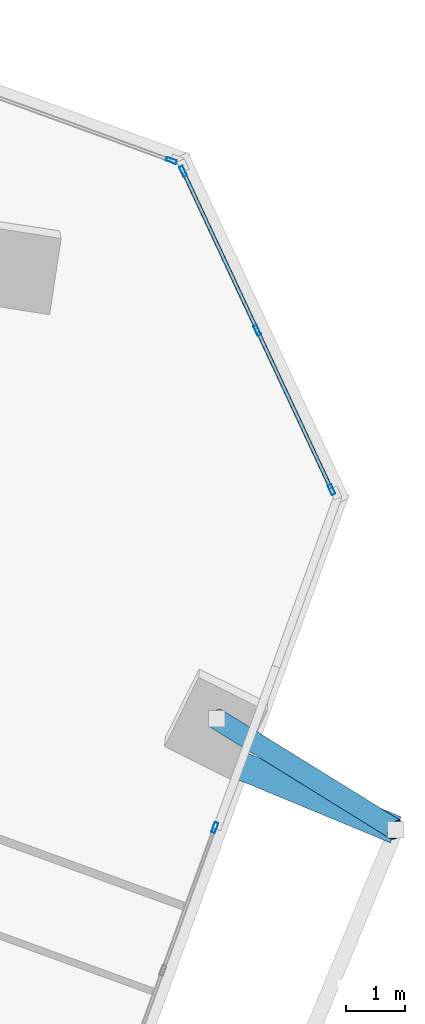
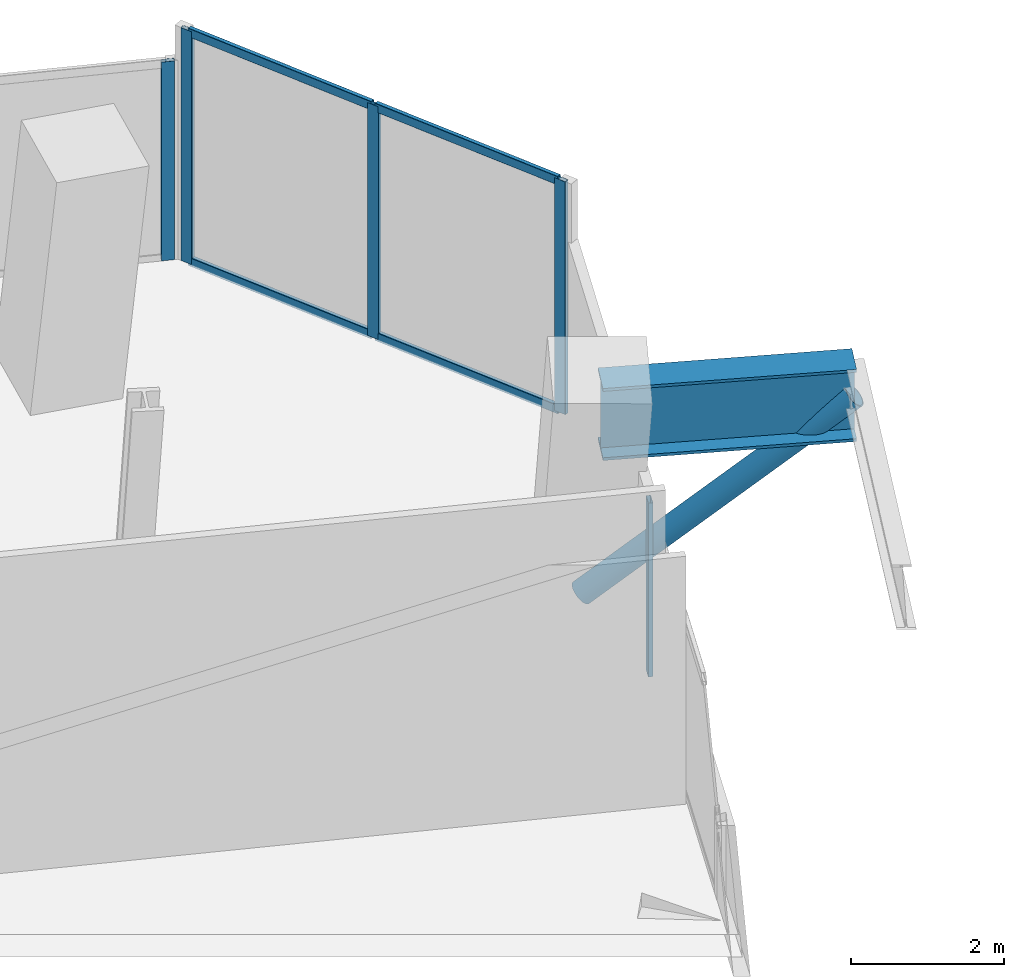
# One storey, part 11 of 21: 10 members, 1 beam, 3 elements without a shape of their own.
"""IFC4 building model written with IfcOpenShell, lengths in metres."""

from ifc_helpers import new_model, si_unit, direction, frame, origin, origin_2d, place, context, subcontext, project, spatial, hollow_rectangle, hollow_circle, i_section, extrude, source, transform, mapped, material, material_profile, profile_set, type_object, element, aggregate, save


model = new_model("IFC4")

# Units and contexts
model_context = context("Model", 3, precision=1e-05, world=origin(), true_north=direction((0.0, 1.0)))
body_context = subcontext(model_context, "Body", "Model", "MODEL_VIEW")
ifc_project = project(units=[si_unit("LENGTHUNIT", "METRE"), si_unit("AREAUNIT", "SQUARE_METRE"), si_unit("VOLUMEUNIT", "CUBIC_METRE"), si_unit("PLANEANGLEUNIT", "RADIAN"), si_unit("MASSUNIT", "GRAM", prefix="KILO")], contexts=[model_context])

# Site, building, storey
site_placement = place(None, origin())
site = spatial("IfcSite", under=ifc_project, at=site_placement, CompositionType="ELEMENT")
building_placement = place(site_placement, origin())
building = spatial("IfcBuilding", under=site, at=building_placement, Name="Torre Montelarca", CompositionType="ELEMENT")
storey_placement = place(building_placement, frame((0.0, 0.0, 137.199951171875)))
storey = spatial("IfcBuildingStorey", under=building, at=storey_placement, Name="L30", CompositionType="ELEMENT", Elevation=137.199951171875)

# Member
ifc_material_1 = material(Name="Steel ASTM A500 Grade C", Category="steel")
ifc_material_profile_1 = material_profile(ifc_material_1, hollow_circle(Radius=0.177734375, WallThickness=0.015869140625, at=origin_2d()), Name="HSS355.6X15.9", Category="steel")
ifc_profile_set_1 = profile_set([ifc_material_profile_1], Name="Steel ASTM A500 Grade C")
member_type_1 = type_object("IfcMemberType", Name="MB-BR-CHS356-EXT", PredefinedType="BRACE", material=ifc_profile_set_1)
shared_shape_1 = source(origin(), body_context, "Body", "SweptSolid", [
    extrude(hollow_circle(Radius=0.177734375, WallThickness=0.015869140625, at=origin_2d()), origin(), (0.0, 0.0, 1.0), 4.8232421875),
])
member_1_placement = place(storey_placement, frame((49.09765625, 29.8515625, 0.150146484375), z_axis=(0.630635073372, -0.390508836268, 0.670672985165), x_axis=(0.526467372885, 0.850195333607, 0.0)))
element("IfcMember", 1, at=member_1_placement, inside=storey, type_object=member_type_1, Name="L31 Sliding Tray Exterior Diagonal Raker Strut E3", PredefinedType="BRACE", context=body_context, shape_type="MappedRepresentation", body=[
    mapped(shared_shape_1, transform((0.0, 0.0, 0.0), scale=1.0)),
])

# Beam
ifc_material_2 = material(Name="Steel ASTM A572 Grade 50", Category="steel")
ifc_material_profile_2 = material_profile(ifc_material_2, i_section(OverallWidth=0.47998046875, OverallDepth=1.14990234375, WebThickness=0.02197265625, FlangeThickness=0.044921875, at=origin_2d()), Name="PG1150X480X22X45", Category="steel")
ifc_profile_set_2 = profile_set([ifc_material_profile_2], Name="Steel ASTM A572 Grade 50")
beam_type = type_object("IfcBeamType", Name="BM-CG-PG1400-EXT", PredefinedType="USERDEFINED", material=ifc_profile_set_2)
shared_shape_2 = source(origin(), body_context, "Body", "SweptSolid", [
    extrude(i_section(OverallWidth=0.47998046875, OverallDepth=1.14990234375, WebThickness=0.02197265625, FlangeThickness=0.044921875, at=origin_2d()), origin(), (0.0, 0.0, 1.0), 3.35009765625),
])
beam_placement = place(storey_placement, frame((49.044189453125, 29.25, 3.385009765625), z_axis=(0.923889826287, -0.382658580047, 0.0), x_axis=(0.382658580047, 0.923889826287, 0.0)))
element("IfcBeam", 2, at=beam_placement, inside=storey, type_object=beam_type, Name="L30 Sliding Tray Cantilever Girder East Y=40m (FLR)", ObjectType="CANTILEVER GIRDER", PredefinedType="USERDEFINED", context=body_context, shape_type="MappedRepresentation", body=[
    mapped(shared_shape_2, transform((0.0, 0.0, 0.0), scale=1.0)),
])

# Curtain wall, members
ifc_material_3 = material(Name="Insulated low-E laminated glass", Category="glass")
curtain_wall_type = type_object("IfcCurtainWallType", Name="CW-SYS-Z2", PredefinedType="USERDEFINED", material=ifc_material_3)
curtain_wall_1_placement = place(storey_placement, origin())
curtain_wall_1 = element("IfcCurtainWall", 3, at=curtain_wall_1_placement, inside=storey, type_object=curtain_wall_type, Name="L30 Curtain Wall Run CW-T3-L30-E07-B1", ObjectType="UNITISED GLAZING", PredefinedType="USERDEFINED")
ifc_material_4 = material(Name="Anodised aluminium AA 6063-T6", Category="aluminium")
ifc_material_profile_3 = material_profile(ifc_material_4, hollow_rectangle(XDim=0.06494140625, YDim=0.139892578125, WallThickness=0.00390625, InnerFilletRadius=0.00390625, OuterFilletRadius=0.008056640625, at=origin_2d()), Name="ALU65X140X4", Category="aluminium")
ifc_profile_set_3 = profile_set([ifc_material_profile_3], Name="Anodised aluminium AA 6063-T6")
member_type_2 = type_object("IfcMemberType", Name="CWT-ALU140", PredefinedType="USERDEFINED", material=ifc_profile_set_3)
shared_shape_3 = source(origin(), body_context, "Body", "SweptSolid", [
    extrude(hollow_rectangle(XDim=0.06494140625, YDim=0.139892578125, WallThickness=0.00390625, InnerFilletRadius=0.00390625, OuterFilletRadius=0.008056640625, at=origin_2d()), origin(), (0.0, 0.0, 1.0), 2.918701171875),
])
member_2_placement = place(storey_placement, frame((51.03369140625, 33.77734375, 0.032470703125), z_axis=(-0.422587791305, 0.90632199501, 0.0), x_axis=(-0.90632199501, -0.422587791305, 0.0)))
member_2 = element("IfcMember", 4, at=member_2_placement, type_object=member_type_2, Name="CW transom 1.1", ObjectType="TRANSOM", PredefinedType="USERDEFINED", context=body_context, shape_type="MappedRepresentation", body=[
    mapped(shared_shape_3, transform((0.0, 0.0, 0.0), scale=1.0)),
])
member_3_placement = place(storey_placement, frame((51.03369140625, 33.77734375, 3.6875), z_axis=(-0.422587791305, 0.90632199501, 0.0), x_axis=(-0.90632199501, -0.422587791305, 0.0)))
member_3 = element("IfcMember", 5, at=member_3_placement, type_object=member_type_2, Name="CW transom 1.2", ObjectType="TRANSOM", PredefinedType="USERDEFINED", context=body_context, shape_type="MappedRepresentation", body=[
    mapped(shared_shape_3, transform((0.0, 0.0, 0.0), scale=1.0)),
])
member_4_placement = place(storey_placement, frame((49.77294921875, 36.4814453125, 0.032470703125), z_axis=(-0.422587791305, 0.90632199501, 0.0), x_axis=(-0.90632199501, -0.422587791305, 0.0)))
member_4 = element("IfcMember", 6, at=member_4_placement, type_object=member_type_2, Name="CW transom 2.1", ObjectType="TRANSOM", PredefinedType="USERDEFINED", context=body_context, shape_type="MappedRepresentation", body=[
    mapped(shared_shape_3, transform((0.0, 0.0, 0.0), scale=1.0)),
])
member_5_placement = place(storey_placement, frame((49.77294921875, 36.4814453125, 3.6875), z_axis=(-0.422587791305, 0.90632199501, 0.0), x_axis=(-0.90632199501, -0.422587791305, 0.0)))
member_5 = element("IfcMember", 7, at=member_5_placement, type_object=member_type_2, Name="CW transom 2.2", ObjectType="TRANSOM", PredefinedType="USERDEFINED", context=body_context, shape_type="MappedRepresentation", body=[
    mapped(shared_shape_3, transform((0.0, 0.0, 0.0), scale=1.0)),
])

# Curtain wall, member
curtain_wall_2_placement = place(storey_placement, origin())
curtain_wall_2 = element("IfcCurtainWall", 8, at=curtain_wall_2_placement, inside=storey, type_object=curtain_wall_type, Name="L30 Curtain Wall Run CW-T3-L30-E06-B2", ObjectType="UNITISED GLAZING", PredefinedType="USERDEFINED")
ifc_material_profile_4 = material_profile(ifc_material_4, hollow_rectangle(XDim=0.06494140625, YDim=0.179931640625, WallThickness=0.00390625, InnerFilletRadius=0.00390625, OuterFilletRadius=0.008056640625, at=origin_2d()), Name="ALU65X180X4", Category="aluminium")
ifc_profile_set_4 = profile_set([ifc_material_profile_4], Name="Anodised aluminium AA 6063-T6")
member_type_3 = type_object("IfcMemberType", Name="CWM-ALU180", PredefinedType="MULLION", material=ifc_profile_set_4)
shared_shape_4 = source(origin(), body_context, "Body", "SweptSolid", [
    extrude(hollow_rectangle(XDim=0.06494140625, YDim=0.179931640625, WallThickness=0.00390625, InnerFilletRadius=0.00390625, OuterFilletRadius=0.008056640625, at=origin_2d()), origin(), (0.0, 0.0, 1.0), 2.775146484375),
])
member_6_placement = place(storey_placement, frame((49.06591796875, 28.0048828125, 0.0), z_axis=(0.0, 0.0, 1.0), x_axis=(-0.939691768248, 0.342022485644, 0.0)))
member_6 = element("IfcMember", 9, at=member_6_placement, type_object=member_type_3, Name="CW mullion 3", PredefinedType="MULLION", context=body_context, shape_type="MappedRepresentation", body=[
    mapped(shared_shape_4, transform((0.0, 0.0, 0.0), scale=1.0)),
])
aggregate(curtain_wall_2, [member_6])

# Member
shared_shape_5 = source(origin(), body_context, "Body", "SweptSolid", [
    extrude(hollow_rectangle(XDim=0.06494140625, YDim=0.179931640625, WallThickness=0.00390625, InnerFilletRadius=0.00390625, OuterFilletRadius=0.008056640625, at=origin_2d()), origin(), (0.0, 0.0, 1.0), 3.719970703125),
])
member_7_placement = place(storey_placement, frame((51.04736328125, 33.748046875, 0.0), z_axis=(0.0, 0.0, 1.0), x_axis=(-0.906317349192, -0.422597755027, 0.0)))
member_7 = element("IfcMember", 10, at=member_7_placement, type_object=member_type_3, Name="CW mullion 1", PredefinedType="MULLION", context=body_context, shape_type="MappedRepresentation", body=[
    mapped(shared_shape_5, transform((0.0, 0.0, 0.0), scale=1.0)),
])

member_8_placement = place(storey_placement, frame((49.78662109375, 36.4521484375, 0.0), z_axis=(0.0, 0.0, 1.0), x_axis=(-0.906317349192, -0.422597755027, 0.0)))
member_8 = element("IfcMember", 11, at=member_8_placement, type_object=member_type_3, Name="CW mullion 2", PredefinedType="MULLION", context=body_context, shape_type="MappedRepresentation", body=[
    mapped(shared_shape_5, transform((0.0, 0.0, 0.0), scale=1.0)),
])

member_9_placement = place(storey_placement, frame((48.525634765625, 39.15625, 0.0), z_axis=(0.0, 0.0, 1.0), x_axis=(-0.906317349192, -0.422597755027, 0.0)))
member_9 = element("IfcMember", 12, at=member_9_placement, type_object=member_type_3, Name="CW mullion 3", PredefinedType="MULLION", context=body_context, shape_type="MappedRepresentation", body=[
    mapped(shared_shape_5, transform((0.0, 0.0, 0.0), scale=1.0)),
])

aggregate(curtain_wall_1, [member_7, member_8, member_9, member_2, member_3, member_4, member_5])

# Curtain wall, member
curtain_wall_3_placement = place(storey_placement, origin())
curtain_wall_3 = element("IfcCurtainWall", 13, at=curtain_wall_3_placement, inside=storey, type_object=curtain_wall_type, Name="L30 Curtain Wall Run CW-T3-L30-E08-B1", ObjectType="UNITISED GLAZING", PredefinedType="USERDEFINED")
shared_shape_6 = source(origin(), body_context, "Body", "SweptSolid", [
    extrude(hollow_rectangle(XDim=0.06494140625, YDim=0.179931640625, WallThickness=0.00390625, InnerFilletRadius=0.00390625, OuterFilletRadius=0.008056640625, at=origin_2d()), origin(), (0.0, 0.0, 1.0), 3.175048828125),
])
member_10_placement = place(storey_placement, frame((48.328857421875, 39.33642578125, 0.0), z_axis=(0.0, 0.0, 1.0), x_axis=(-0.342016530472, -0.939693935749, 0.0)))
member_10 = element("IfcMember", 14, at=member_10_placement, type_object=member_type_3, Name="CW mullion 1", PredefinedType="MULLION", context=body_context, shape_type="MappedRepresentation", body=[
    mapped(shared_shape_6, transform((0.0, 0.0, 0.0), scale=1.0)),
])
aggregate(curtain_wall_3, [member_10])

save(model, "model.ifc")
